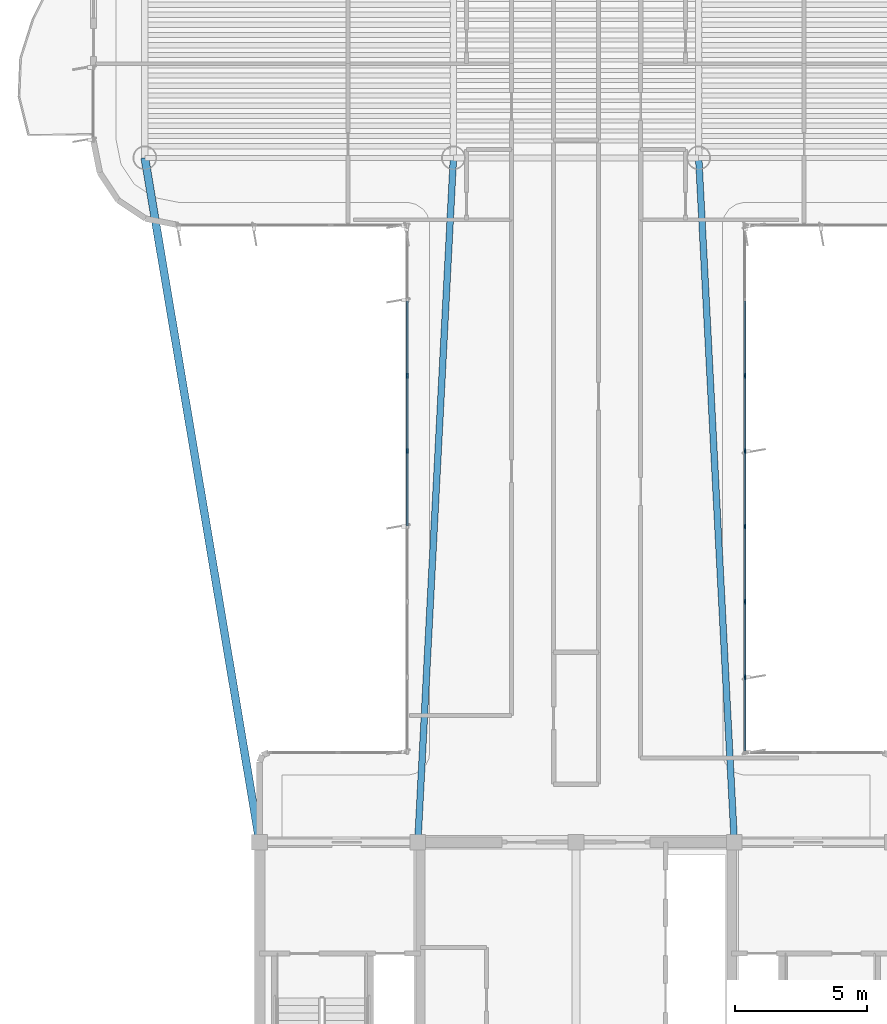
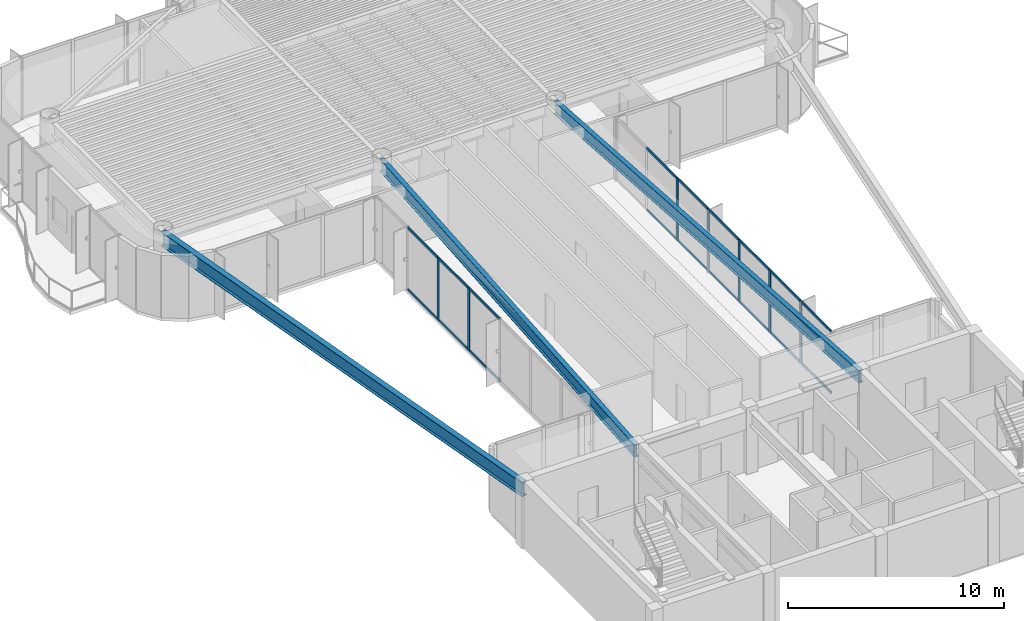
# One storey, part 3 of 16: 25 members, 3 beams, 2 elements without a shape of their own.
"""IFC4 building model written with IfcOpenShell, lengths in metres."""

from ifc_helpers import new_model, si_unit, direction, frame, origin, origin_2d, place, context, subcontext, project, spatial, rectangle, i_section, extrude, source, transform, mapped, material, layer, layer_set, material_profile, profile_set, type_object, element, aggregate, save


model = new_model("IFC4")

# Units and contexts
model_context = context("Model", 3, precision=1e-05, world=origin(), true_north=direction((0.0, 1.0)))
body_context = subcontext(model_context, "Body", "Model", "MODEL_VIEW")
ifc_project = project(units=[si_unit("LENGTHUNIT", "METRE"), si_unit("AREAUNIT", "SQUARE_METRE"), si_unit("VOLUMEUNIT", "CUBIC_METRE"), si_unit("PLANEANGLEUNIT", "RADIAN"), si_unit("MASSUNIT", "GRAM", prefix="KILO")], contexts=[model_context])

# Site, building, storey
site_placement = place(None, origin())
site = spatial("IfcSite", under=ifc_project, at=site_placement, CompositionType="ELEMENT")
building_placement = place(site_placement, origin())
building = spatial("IfcBuilding", under=site, at=building_placement, Name="Brelvock Crest Care Tower", CompositionType="ELEMENT")
storey_placement = place(building_placement, frame((0.0, 0.0, 238.139892578125)))
storey = spatial("IfcBuildingStorey", under=building, at=storey_placement, Name="L60", CompositionType="ELEMENT", Elevation=238.139892578125)

# Beams
ifc_material_1 = material(Name="Steel Grade 350", Category="steel")
ifc_material_profile_1 = material_profile(ifc_material_1, i_section(OverallWidth=0.25, OverallDepth=0.699951171875, WebThickness=0.011962890625, FlangeThickness=0.02001953125, at=origin_2d()), Name="700WB150")
ifc_profile_set_1 = profile_set([ifc_material_profile_1], Name="Steel Grade 350")
beam_type_1 = type_object("IfcBeamType", Name="BM-G4", PredefinedType="BEAM", material=ifc_profile_set_1)
shared_shape_1 = source(origin(), body_context, "Body", "SweptSolid", [
    extrude(i_section(OverallWidth=0.25, OverallDepth=0.699951171875, WebThickness=0.011962890625, FlangeThickness=0.02001953125, at=origin_2d()), origin(), (0.0, 0.0, 1.0), 25.985107421875),
])
for number, where, z_axis, x_axis, name in (
    (1, (30.0, 18.0, 3.18017578125), (0.051956711656, 0.998649337913, 0.0), (-0.998649337913, 0.051956711656, 0.0), "BM-THRW-L60"),
    (2, (42.0, 18.0, 3.18017578125), (-0.051956711656, 0.998649337913, 0.0), (-0.998649337913, -0.051956711656, 0.0), "BM-THRE-L60"),
):
    element("IfcBeam", number, at=place(storey_placement, frame(where, z_axis=z_axis, x_axis=x_axis)), inside=storey, type_object=beam_type_1, Name=name, PredefinedType="BEAM", context=body_context, shape_type="MappedRepresentation", body=[
        mapped(shared_shape_1, transform((0.0, 0.0, 0.0), x_axis=(1.0, 0.0, 0.0), y_axis=(0.0, 1.0, 0.0), z_axis=(0.0, 0.0, 1.0), scale=1.0)),
    ])
ifc_material_profile_2 = material_profile(ifc_material_1, i_section(OverallWidth=0.300048828125, OverallDepth=0.800048828125, WebThickness=0.013916015625, FlangeThickness=0.02197265625, at=origin_2d()), Name="800WB192")
ifc_profile_set_2 = profile_set([ifc_material_profile_2], Name="Steel Grade 350")
beam_type_2 = type_object("IfcBeamType", Name="BM-G5", PredefinedType="BEAM", material=ifc_profile_set_2)
shared_shape_2 = source(origin(), body_context, "Body", "SweptSolid", [
    extrude(i_section(OverallWidth=0.300048828125, OverallDepth=0.800048828125, WebThickness=0.013916015625, FlangeThickness=0.02197265625, at=origin_2d()), origin(), (0.0, 0.0, 1.0), 26.31201171875),
])
beam_placement = place(storey_placement, frame((24.0, 18.0, 3.130126953125), z_axis=(-0.165327282709, 0.986238758918, 0.0), x_axis=(-0.986238758918, -0.165327282709, 0.0)))
element("IfcBeam", 3, at=beam_placement, inside=storey, type_object=beam_type_2, Name="BM-THRO-W-L60", PredefinedType="BEAM", context=body_context, shape_type="MappedRepresentation", body=[
    mapped(shared_shape_2, transform((0.0, 0.0, 0.0), x_axis=(1.0, 0.0, 0.0), y_axis=(0.0, 1.0, 0.0), z_axis=(0.0, 0.0, 1.0), scale=1.0)),
])

# Curtain wall, members
ifc_material_2 = material(Name="Dark Glass Double Glazed Low-E", Category="glass")
ifc_layer = layer(ifc_material_2, 0.239990234375, Name="CWS-5")
ifc_layer_set = layer_set([ifc_layer], Name="Dark Glass Double Glazed Low-E")
curtain_wall_type = type_object("IfcCurtainWallType", Name="CWS-5", PredefinedType="NOTDEFINED", material=ifc_layer_set)
curtain_wall_1_placement = place(storey_placement, origin())
curtain_wall_1 = element("IfcCurtainWall", 4, at=curtain_wall_1_placement, inside=storey, type_object=curtain_wall_type, Name="L60 Curtain Wall E11", PredefinedType="NOTDEFINED")
ifc_material_3 = material(Name="Aluminium 6063-T6", Category="aluminium")
ifc_material_profile_3 = material_profile(ifc_material_3, rectangle(XDim=0.06005859375, YDim=0.179931640625, at=origin_2d()), Name="ALU60x180")
ifc_profile_set_3 = profile_set([ifc_material_profile_3], Name="Aluminium 6063-T6")
member_type_1 = type_object("IfcMemberType", Name="CWM-2", PredefinedType="MULLION", material=ifc_profile_set_3)
shared_shape_3 = source(origin(), body_context, "Body", "SweptSolid", [
    extrude(rectangle(XDim=0.06005859375, YDim=0.179931640625, at=origin_2d()), origin(), (0.0, 0.0, 1.0), 3.530029296875),
])
member_1_placement = place(storey_placement, frame((29.60009765625, 32.82861328125, 0.0), z_axis=(0.0, 0.0, 1.0), x_axis=(-1.0, 0.0, 0.0)))
member_1 = element("IfcMember", 5, at=member_1_placement, type_object=member_type_1, Name="CW-5 mullion 5", PredefinedType="MULLION", context=body_context, shape_type="MappedRepresentation", body=[
    mapped(shared_shape_3, transform((0.0, 0.0, 0.0), x_axis=(1.0, 0.0, 0.0), y_axis=(0.0, 1.0, 0.0), z_axis=(0.0, 0.0, 1.0), scale=1.0)),
])
member_2_placement = place(storey_placement, frame((29.60009765625, 35.685791015625, 0.0), z_axis=(0.0, 0.0, 1.0), x_axis=(-1.0, 0.0, 0.0)))
member_2 = element("IfcMember", 6, at=member_2_placement, type_object=member_type_1, Name="CW-5 mullion 6", PredefinedType="MULLION", context=body_context, shape_type="MappedRepresentation", body=[
    mapped(shared_shape_3, transform((0.0, 0.0, 0.0), x_axis=(1.0, 0.0, 0.0), y_axis=(0.0, 1.0, 0.0), z_axis=(0.0, 0.0, 1.0), scale=1.0)),
])

curtain_wall_2_placement = place(storey_placement, origin())
curtain_wall_2 = element("IfcCurtainWall", 7, at=curtain_wall_2_placement, inside=storey, type_object=curtain_wall_type, Name="L60 Curtain Wall E45", PredefinedType="NOTDEFINED")
member_3_placement = place(storey_placement, frame((42.39990234375, 35.685791015625, 0.0), z_axis=(0.0, 0.0, 1.0), x_axis=(1.0, 0.0, 0.0)))
member_3 = element("IfcMember", 8, at=member_3_placement, type_object=member_type_1, Name="CW-5 mullion 3", PredefinedType="MULLION", context=body_context, shape_type="MappedRepresentation", body=[
    mapped(shared_shape_3, transform((0.0, 0.0, 0.0), x_axis=(1.0, 0.0, 0.0), y_axis=(0.0, 1.0, 0.0), z_axis=(0.0, 0.0, 1.0), scale=1.0)),
])
member_4_placement = place(storey_placement, frame((42.39990234375, 32.82861328125, 0.0), z_axis=(0.0, 0.0, 1.0), x_axis=(1.0, 0.0, 0.0)))
member_4 = element("IfcMember", 9, at=member_4_placement, type_object=member_type_1, Name="CW-5 mullion 4", PredefinedType="MULLION", context=body_context, shape_type="MappedRepresentation", body=[
    mapped(shared_shape_3, transform((0.0, 0.0, 0.0), x_axis=(1.0, 0.0, 0.0), y_axis=(0.0, 1.0, 0.0), z_axis=(0.0, 0.0, 1.0), scale=1.0)),
])
member_5_placement = place(storey_placement, frame((42.39990234375, 29.971435546875, 0.0), z_axis=(0.0, 0.0, 1.0), x_axis=(1.0, 0.0, 0.0)))
member_5 = element("IfcMember", 10, at=member_5_placement, type_object=member_type_1, Name="CW-5 mullion 5", PredefinedType="MULLION", context=body_context, shape_type="MappedRepresentation", body=[
    mapped(shared_shape_3, transform((0.0, 0.0, 0.0), x_axis=(1.0, 0.0, 0.0), y_axis=(0.0, 1.0, 0.0), z_axis=(0.0, 0.0, 1.0), scale=1.0)),
])
member_6_placement = place(storey_placement, frame((42.39990234375, 27.1142578125, 0.0), z_axis=(0.0, 0.0, 1.0), x_axis=(1.0, 0.0, 0.0)))
member_6 = element("IfcMember", 11, at=member_6_placement, type_object=member_type_1, Name="CW-5 mullion 6", PredefinedType="MULLION", context=body_context, shape_type="MappedRepresentation", body=[
    mapped(shared_shape_3, transform((0.0, 0.0, 0.0), x_axis=(1.0, 0.0, 0.0), y_axis=(0.0, 1.0, 0.0), z_axis=(0.0, 0.0, 1.0), scale=1.0)),
])
member_7_placement = place(storey_placement, frame((42.39990234375, 24.257080078125, 0.0), z_axis=(0.0, 0.0, 1.0), x_axis=(1.0, 0.0, 0.0)))
member_7 = element("IfcMember", 12, at=member_7_placement, type_object=member_type_1, Name="CW-5 mullion 7", PredefinedType="MULLION", context=body_context, shape_type="MappedRepresentation", body=[
    mapped(shared_shape_3, transform((0.0, 0.0, 0.0), x_axis=(1.0, 0.0, 0.0), y_axis=(0.0, 1.0, 0.0), z_axis=(0.0, 0.0, 1.0), scale=1.0)),
])
ifc_material_profile_4 = material_profile(ifc_material_3, rectangle(XDim=0.06005859375, YDim=0.139892578125, at=origin_2d()), Name="ALU60x140")
ifc_profile_set_4 = profile_set([ifc_material_profile_4], Name="Aluminium 6063-T6")
member_type_2 = type_object("IfcMemberType", Name="CWT-2", PredefinedType="USERDEFINED", material=ifc_profile_set_4)
shared_shape_4 = source(origin(), body_context, "Body", "SweptSolid", [
    extrude(rectangle(XDim=0.06005859375, YDim=0.139892578125, at=origin_2d()), origin(), (0.0, 0.0, 1.0), 2.76708984375),
])
member_8_placement = place(storey_placement, frame((42.39990234375, 24.22705078125, 0.030029296875), z_axis=(0.0, -1.0, 0.0), x_axis=(1.0, 0.0, 0.0)))
member_8 = element("IfcMember", 13, at=member_8_placement, type_object=member_type_2, Name="CW-5 transom 7.1", ObjectType="TRANSOM", PredefinedType="USERDEFINED", context=body_context, shape_type="MappedRepresentation", body=[
    mapped(shared_shape_4, transform((0.0, 0.0, 0.0), x_axis=(1.0, 0.0, 0.0), y_axis=(0.0, 1.0, 0.0), z_axis=(0.0, 0.0, 1.0), scale=1.0)),
])
member_9_placement = place(storey_placement, frame((42.39990234375, 24.22705078125, 3.5), z_axis=(0.0, -1.0, 0.0), x_axis=(1.0, 0.0, 0.0)))
member_9 = element("IfcMember", 14, at=member_9_placement, type_object=member_type_2, Name="CW-5 transom 7.2", ObjectType="TRANSOM", PredefinedType="USERDEFINED", context=body_context, shape_type="MappedRepresentation", body=[
    mapped(shared_shape_4, transform((0.0, 0.0, 0.0), x_axis=(1.0, 0.0, 0.0), y_axis=(0.0, 1.0, 0.0), z_axis=(0.0, 0.0, 1.0), scale=1.0)),
])

# Member
shared_shape_5 = source(origin(), body_context, "Body", "SweptSolid", [
    extrude(rectangle(XDim=0.06005859375, YDim=0.139892578125, at=origin_2d()), origin(), (0.0, 0.0, 1.0), 2.797119140625),
])
member_10_placement = place(storey_placement, frame((29.60009765625, 30.00146484375, 0.030029296875), z_axis=(0.0, 1.0, 0.0), x_axis=(-1.0, 0.0, 0.0)))
member_10 = element("IfcMember", 15, at=member_10_placement, type_object=member_type_2, Name="CW-5 transom 4.1", ObjectType="TRANSOM", PredefinedType="USERDEFINED", context=body_context, shape_type="MappedRepresentation", body=[
    mapped(shared_shape_5, transform((0.0, 0.0, 0.0), x_axis=(1.0, 0.0, 0.0), y_axis=(0.0, 1.0, 0.0), z_axis=(0.0, 0.0, 1.0), scale=1.0)),
])

member_11_placement = place(storey_placement, frame((29.60009765625, 30.00146484375, 3.5), z_axis=(0.0, 1.0, 0.0), x_axis=(-1.0, 0.0, 0.0)))
member_11 = element("IfcMember", 16, at=member_11_placement, type_object=member_type_2, Name="CW-5 transom 4.2", ObjectType="TRANSOM", PredefinedType="USERDEFINED", context=body_context, shape_type="MappedRepresentation", body=[
    mapped(shared_shape_5, transform((0.0, 0.0, 0.0), x_axis=(1.0, 0.0, 0.0), y_axis=(0.0, 1.0, 0.0), z_axis=(0.0, 0.0, 1.0), scale=1.0)),
])

member_12_placement = place(storey_placement, frame((29.60009765625, 32.858642578125, 0.030029296875), z_axis=(0.0, 1.0, 0.0), x_axis=(-1.0, 0.0, 0.0)))
member_12 = element("IfcMember", 17, at=member_12_placement, type_object=member_type_2, Name="CW-5 transom 5.1", ObjectType="TRANSOM", PredefinedType="USERDEFINED", context=body_context, shape_type="MappedRepresentation", body=[
    mapped(shared_shape_5, transform((0.0, 0.0, 0.0), x_axis=(1.0, 0.0, 0.0), y_axis=(0.0, 1.0, 0.0), z_axis=(0.0, 0.0, 1.0), scale=1.0)),
])

member_13_placement = place(storey_placement, frame((29.60009765625, 32.858642578125, 3.5), z_axis=(0.0, 1.0, 0.0), x_axis=(-1.0, 0.0, 0.0)))
member_13 = element("IfcMember", 18, at=member_13_placement, type_object=member_type_2, Name="CW-5 transom 5.2", ObjectType="TRANSOM", PredefinedType="USERDEFINED", context=body_context, shape_type="MappedRepresentation", body=[
    mapped(shared_shape_5, transform((0.0, 0.0, 0.0), x_axis=(1.0, 0.0, 0.0), y_axis=(0.0, 1.0, 0.0), z_axis=(0.0, 0.0, 1.0), scale=1.0)),
])

member_14_placement = place(storey_placement, frame((29.60009765625, 35.7158203125, 0.030029296875), z_axis=(0.0, 1.0, 0.0), x_axis=(-1.0, 0.0, 0.0)))
member_14 = element("IfcMember", 19, at=member_14_placement, type_object=member_type_2, Name="CW-5 transom 6.1", ObjectType="TRANSOM", PredefinedType="USERDEFINED", context=body_context, shape_type="MappedRepresentation", body=[
    mapped(shared_shape_5, transform((0.0, 0.0, 0.0), x_axis=(1.0, 0.0, 0.0), y_axis=(0.0, 1.0, 0.0), z_axis=(0.0, 0.0, 1.0), scale=1.0)),
])

member_15_placement = place(storey_placement, frame((29.60009765625, 35.7158203125, 3.5), z_axis=(0.0, 1.0, 0.0), x_axis=(-1.0, 0.0, 0.0)))
member_15 = element("IfcMember", 20, at=member_15_placement, type_object=member_type_2, Name="CW-5 transom 6.2", ObjectType="TRANSOM", PredefinedType="USERDEFINED", context=body_context, shape_type="MappedRepresentation", body=[
    mapped(shared_shape_5, transform((0.0, 0.0, 0.0), x_axis=(1.0, 0.0, 0.0), y_axis=(0.0, 1.0, 0.0), z_axis=(0.0, 0.0, 1.0), scale=1.0)),
])

aggregate(curtain_wall_1, [member_1, member_2, member_10, member_11, member_12, member_13, member_14, member_15])

member_16_placement = place(storey_placement, frame((42.39990234375, 38.512939453125, 0.030029296875), z_axis=(0.0, -1.0, 0.0), x_axis=(1.0, 0.0, 0.0)))
member_16 = element("IfcMember", 21, at=member_16_placement, type_object=member_type_2, Name="CW-5 transom 2.1", ObjectType="TRANSOM", PredefinedType="USERDEFINED", context=body_context, shape_type="MappedRepresentation", body=[
    mapped(shared_shape_5, transform((0.0, 0.0, 0.0), x_axis=(1.0, 0.0, 0.0), y_axis=(0.0, 1.0, 0.0), z_axis=(0.0, 0.0, 1.0), scale=1.0)),
])

member_17_placement = place(storey_placement, frame((42.39990234375, 38.512939453125, 3.5), z_axis=(0.0, -1.0, 0.0), x_axis=(1.0, 0.0, 0.0)))
member_17 = element("IfcMember", 22, at=member_17_placement, type_object=member_type_2, Name="CW-5 transom 2.2", ObjectType="TRANSOM", PredefinedType="USERDEFINED", context=body_context, shape_type="MappedRepresentation", body=[
    mapped(shared_shape_5, transform((0.0, 0.0, 0.0), x_axis=(1.0, 0.0, 0.0), y_axis=(0.0, 1.0, 0.0), z_axis=(0.0, 0.0, 1.0), scale=1.0)),
])

member_18_placement = place(storey_placement, frame((42.39990234375, 35.65576171875, 0.030029296875), z_axis=(0.0, -1.0, 0.0), x_axis=(1.0, 0.0, 0.0)))
member_18 = element("IfcMember", 23, at=member_18_placement, type_object=member_type_2, Name="CW-5 transom 3.1", ObjectType="TRANSOM", PredefinedType="USERDEFINED", context=body_context, shape_type="MappedRepresentation", body=[
    mapped(shared_shape_5, transform((0.0, 0.0, 0.0), x_axis=(1.0, 0.0, 0.0), y_axis=(0.0, 1.0, 0.0), z_axis=(0.0, 0.0, 1.0), scale=1.0)),
])

member_19_placement = place(storey_placement, frame((42.39990234375, 35.65576171875, 3.5), z_axis=(0.0, -1.0, 0.0), x_axis=(1.0, 0.0, 0.0)))
member_19 = element("IfcMember", 24, at=member_19_placement, type_object=member_type_2, Name="CW-5 transom 3.2", ObjectType="TRANSOM", PredefinedType="USERDEFINED", context=body_context, shape_type="MappedRepresentation", body=[
    mapped(shared_shape_5, transform((0.0, 0.0, 0.0), x_axis=(1.0, 0.0, 0.0), y_axis=(0.0, 1.0, 0.0), z_axis=(0.0, 0.0, 1.0), scale=1.0)),
])

member_20_placement = place(storey_placement, frame((42.39990234375, 32.798583984375, 0.030029296875), z_axis=(0.0, -1.0, 0.0), x_axis=(1.0, 0.0, 0.0)))
member_20 = element("IfcMember", 25, at=member_20_placement, type_object=member_type_2, Name="CW-5 transom 4.1", ObjectType="TRANSOM", PredefinedType="USERDEFINED", context=body_context, shape_type="MappedRepresentation", body=[
    mapped(shared_shape_5, transform((0.0, 0.0, 0.0), x_axis=(1.0, 0.0, 0.0), y_axis=(0.0, 1.0, 0.0), z_axis=(0.0, 0.0, 1.0), scale=1.0)),
])

member_21_placement = place(storey_placement, frame((42.39990234375, 32.798583984375, 3.5), z_axis=(0.0, -1.0, 0.0), x_axis=(1.0, 0.0, 0.0)))
member_21 = element("IfcMember", 26, at=member_21_placement, type_object=member_type_2, Name="CW-5 transom 4.2", ObjectType="TRANSOM", PredefinedType="USERDEFINED", context=body_context, shape_type="MappedRepresentation", body=[
    mapped(shared_shape_5, transform((0.0, 0.0, 0.0), x_axis=(1.0, 0.0, 0.0), y_axis=(0.0, 1.0, 0.0), z_axis=(0.0, 0.0, 1.0), scale=1.0)),
])

member_22_placement = place(storey_placement, frame((42.39990234375, 29.94140625, 0.030029296875), z_axis=(0.0, -1.0, 0.0), x_axis=(1.0, 0.0, 0.0)))
member_22 = element("IfcMember", 27, at=member_22_placement, type_object=member_type_2, Name="CW-5 transom 5.1", ObjectType="TRANSOM", PredefinedType="USERDEFINED", context=body_context, shape_type="MappedRepresentation", body=[
    mapped(shared_shape_5, transform((0.0, 0.0, 0.0), x_axis=(1.0, 0.0, 0.0), y_axis=(0.0, 1.0, 0.0), z_axis=(0.0, 0.0, 1.0), scale=1.0)),
])

member_23_placement = place(storey_placement, frame((42.39990234375, 29.94140625, 3.5), z_axis=(0.0, -1.0, 0.0), x_axis=(1.0, 0.0, 0.0)))
member_23 = element("IfcMember", 28, at=member_23_placement, type_object=member_type_2, Name="CW-5 transom 5.2", ObjectType="TRANSOM", PredefinedType="USERDEFINED", context=body_context, shape_type="MappedRepresentation", body=[
    mapped(shared_shape_5, transform((0.0, 0.0, 0.0), x_axis=(1.0, 0.0, 0.0), y_axis=(0.0, 1.0, 0.0), z_axis=(0.0, 0.0, 1.0), scale=1.0)),
])

member_24_placement = place(storey_placement, frame((42.39990234375, 27.084228515625, 0.030029296875), z_axis=(0.0, -1.0, 0.0), x_axis=(1.0, 0.0, 0.0)))
member_24 = element("IfcMember", 29, at=member_24_placement, type_object=member_type_2, Name="CW-5 transom 6.1", ObjectType="TRANSOM", PredefinedType="USERDEFINED", context=body_context, shape_type="MappedRepresentation", body=[
    mapped(shared_shape_5, transform((0.0, 0.0, 0.0), x_axis=(1.0, 0.0, 0.0), y_axis=(0.0, 1.0, 0.0), z_axis=(0.0, 0.0, 1.0), scale=1.0)),
])

member_25_placement = place(storey_placement, frame((42.39990234375, 27.084228515625, 3.5), z_axis=(0.0, -1.0, 0.0), x_axis=(1.0, 0.0, 0.0)))
member_25 = element("IfcMember", 30, at=member_25_placement, type_object=member_type_2, Name="CW-5 transom 6.2", ObjectType="TRANSOM", PredefinedType="USERDEFINED", context=body_context, shape_type="MappedRepresentation", body=[
    mapped(shared_shape_5, transform((0.0, 0.0, 0.0), x_axis=(1.0, 0.0, 0.0), y_axis=(0.0, 1.0, 0.0), z_axis=(0.0, 0.0, 1.0), scale=1.0)),
])

aggregate(curtain_wall_2, [member_3, member_4, member_5, member_6, member_7, member_16, member_17, member_18, member_19, member_20, member_21, member_22, member_23, member_24, member_25, member_8, member_9])

save(model, "model.ifc")
